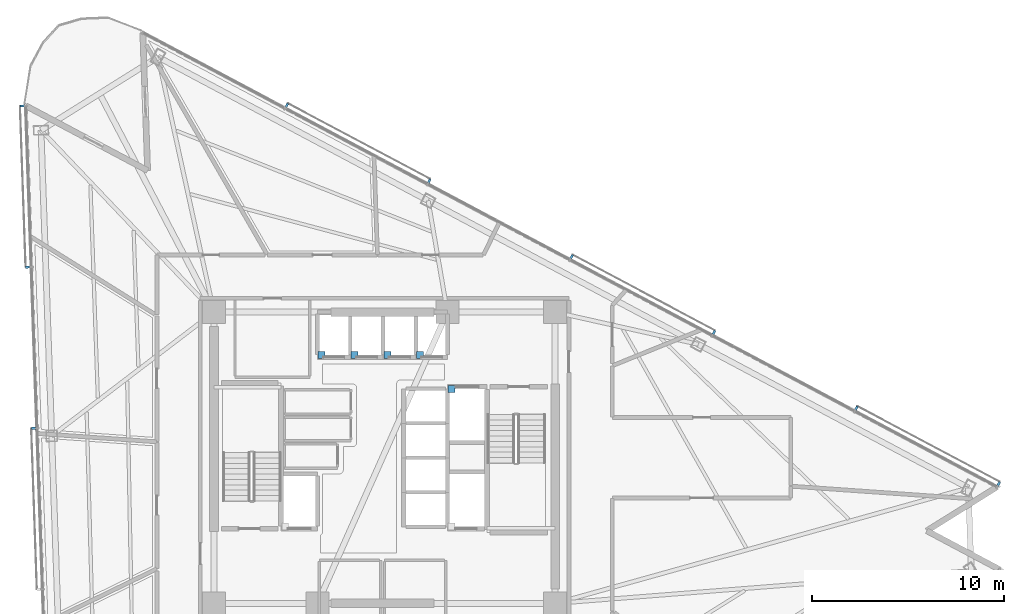
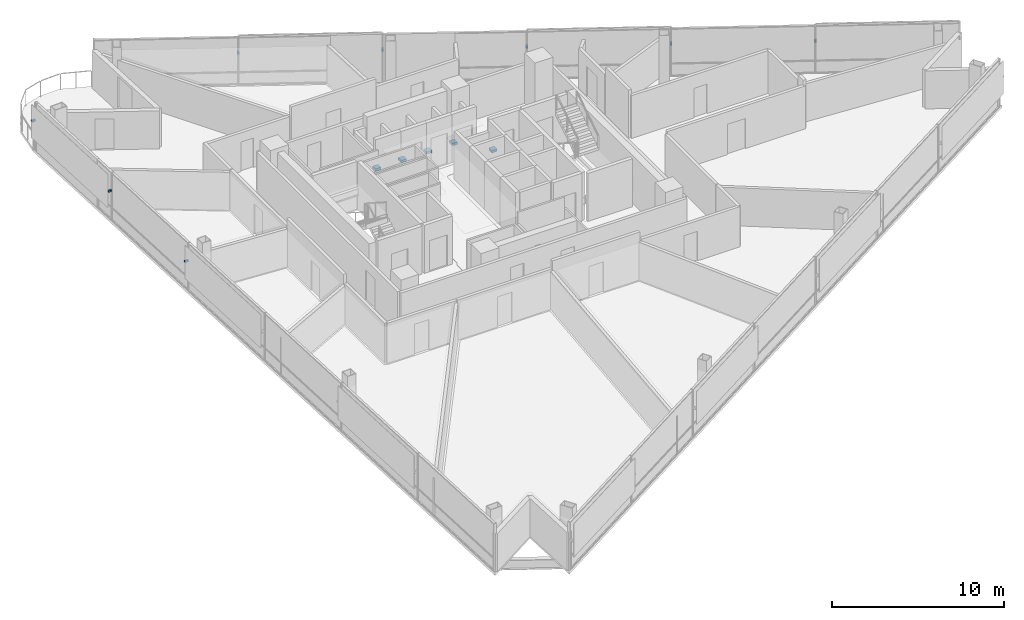
# One storey, part 16 of 20: 14 discrete accessories.
"""IFC4 building model written with IfcOpenShell, lengths in metres."""

from ifc_helpers import new_model, si_unit, direction, frame, origin, origin_2d, place, context, subcontext, project, spatial, rectangle, extrude, material, type_object, element, save


model = new_model("IFC4")

# Units and contexts
model_context = context("Model", 3, precision=1e-05, world=origin(), true_north=direction((0.0, 1.0)))
body_context = subcontext(model_context, "Body", "Model", "MODEL_VIEW")
ifc_project = project(units=[si_unit("LENGTHUNIT", "METRE"), si_unit("AREAUNIT", "SQUARE_METRE"), si_unit("VOLUMEUNIT", "CUBIC_METRE"), si_unit("PLANEANGLEUNIT", "RADIAN"), si_unit("MASSUNIT", "GRAM", prefix="KILO")], contexts=[model_context])

# Site, building, storey
site_placement = place(None, origin())
site = spatial("IfcSite", under=ifc_project, at=site_placement, CompositionType="ELEMENT")
building_placement = place(site_placement, origin())
building = spatial("IfcBuilding", under=site, at=building_placement, Name="Tharavind Bronze Gate", CompositionType="ELEMENT")
storey_placement = place(building_placement, frame((0.0, 0.0, 149.60009765625)))
storey = spatial("IfcBuildingStorey", under=building, at=storey_placement, Name="L38", CompositionType="ELEMENT", Elevation=149.60009765625)

# Discrete accessories
ifc_material_1 = material(Name="Galvanised Steel S355", Category="steel")
discrete_accessory_type_1 = type_object("IfcDiscreteAccessoryType", Name="LIFT GUIDE RAIL BRACKET", PredefinedType="BRACKET", material=ifc_material_1)
for number, where, z_axis, x_axis, name in (
    (1, (-3.280029296875, 5.3701171875, 1.1201171875), (0.0, 0.0, 1.0), (1.0, 0.0, 0.0), "Lift PL5 guide rail bracket at L38"),
    (2, (-1.5673828125, 5.3701171875, 1.1201171875), (0.0, 0.0, 1.0), (1.0, 0.0, 0.0), "Lift PL6 guide rail bracket at L38"),
    (3, (0.14501953125, 5.3701171875, 1.1201171875), (0.0, 0.0, 1.0), (1.0, 0.0, 0.0), "Lift PL7 guide rail bracket at L38"),
    (4, (1.857421875, 5.3701171875, 1.1201171875), (0.0, 0.0, 1.0), (1.0, 0.0, 0.0), "Lift PL8 guide rail bracket at L38"),
    (5, (3.5, 3.580078125, 1.1201171875), (0.0, 0.0, 1.0), (1.0, 0.0, 0.0), "Lift FFL2 guide rail bracket at L38"),
):
    element("IfcDiscreteAccessory", number, at=place(storey_placement, frame(where, z_axis=z_axis, x_axis=x_axis)), inside=storey, type_object=discrete_accessory_type_1, Name=name, PredefinedType="BRACKET", context=body_context, shape_type="SweptSolid", body=[
        extrude(rectangle(XDim=0.360107421875, YDim=0.360107421875, at=origin_2d()), origin(), (0.0, 0.0, 1.0), 0.159912109375),
    ])
ifc_material_2 = material(Name="Stainless Steel 316", Category="steel")
discrete_accessory_type_2 = type_object("IfcDiscreteAccessoryType", Name="SOLAR SCREEN STANDOFF BRACKET", PredefinedType="BRACKET", material=ifc_material_2)
for number, where, z_axis, x_axis, name in (
    (6, (-18.899658203125, 18.358154296875, 2.0947265625), (0.0, 0.0, 1.0), (0.034899496703, -0.999390827019, 0.0), "CW-L38-S1 solar screen bracket 1.1"),
    (7, (-18.60595703125, 9.94873046875, 2.0947265625), (0.0, 0.0, 1.0), (0.034899496703, -0.999390827019, 0.0), "CW-L38-S1 solar screen bracket 1.2"),
    (8, (-18.3125, 1.539306640625, 2.0947265625), (0.0, 0.0, 1.0), (0.034899496703, -0.999390827019, 0.0), "CW-L38-S1 solar screen bracket 3.1"),
    (9, (32.04833984375, -1.363525390625, 2.0947265625), (0.0, 0.0, 1.0), (-0.882947592859, 0.469471562786, 0.0), "CW-L38-S3 solar screen bracket 1.1"),
    (10, (24.61865234375, 2.5869140625, 2.0947265625), (0.0, 0.0, 1.0), (-0.882947592859, 0.469471562786, 0.0), "CW-L38-S3 solar screen bracket 1.2"),
    (11, (17.189208984375, 6.537109375, 2.0947265625), (0.0, 0.0, 1.0), (-0.882947592859, 0.469471562786, 0.0), "CW-L38-S3 solar screen bracket 3.1"),
    (12, (9.759521484375, 10.487548828125, 2.0947265625), (0.0, 0.0, 1.0), (-0.882947592859, 0.469471562786, 0.0), "CW-L38-S3 solar screen bracket 3.2"),
    (13, (2.329833984375, 14.43798828125, 2.0947265625), (0.0, 0.0, 1.0), (-0.882947592859, 0.469471562786, 0.0), "CW-L38-S3 solar screen bracket 5.1"),
    (14, (-5.099853515625, 18.388427734375, 2.0947265625), (0.0, 0.0, 1.0), (-0.882947592859, 0.469471562786, 0.0), "CW-L38-S3 solar screen bracket 5.2"),
):
    element("IfcDiscreteAccessory", number, at=place(storey_placement, frame(where, z_axis=z_axis, x_axis=x_axis)), inside=storey, type_object=discrete_accessory_type_2, Name=name, PredefinedType="BRACKET", context=body_context, shape_type="SweptSolid", body=[
        extrude(rectangle(XDim=0.1201171875, YDim=0.239990234375, at=origin_2d()), origin(), (0.0, 0.0, 1.0), 0.1201171875),
    ])

save(model, "model.ifc")
